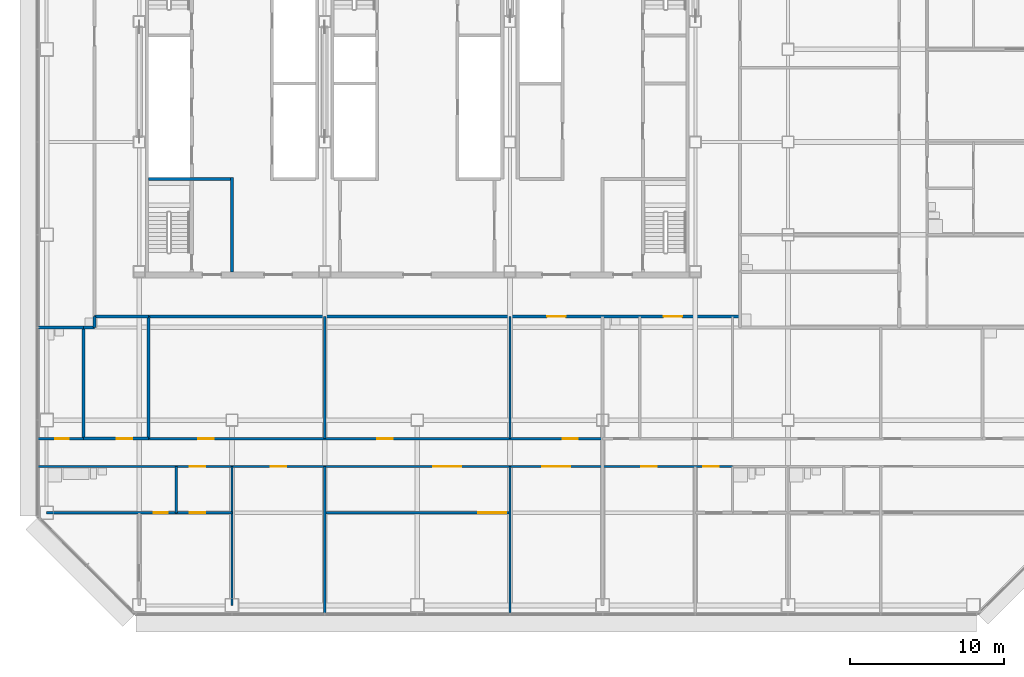
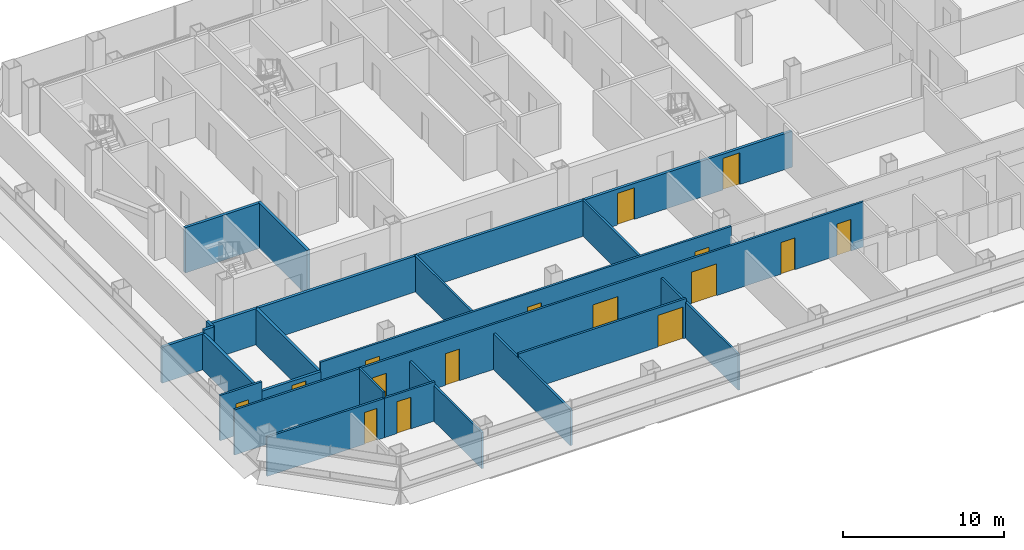
# One storey, part 20 of 27: 23 walls, 16 doors, 16 openings.
"""IFC4 building model written with IfcOpenShell, lengths in metres."""

from ifc_helpers import new_model, si_unit, direction, frame, frame_2d, origin, place, context, subcontext, project, spatial, rectangle, extrude, material, layer, layer_set, type_object, element, fill, save


model = new_model("IFC4")

# Units and contexts
model_context = context("Model", 3, precision=1e-05, world=origin(), true_north=direction((0.0, 1.0)))
body_context = subcontext(model_context, "Body", "Model", "MODEL_VIEW")
ifc_project = project(units=[si_unit("LENGTHUNIT", "METRE"), si_unit("AREAUNIT", "SQUARE_METRE"), si_unit("VOLUMEUNIT", "CUBIC_METRE"), si_unit("PLANEANGLEUNIT", "RADIAN"), si_unit("MASSUNIT", "GRAM", prefix="KILO")], contexts=[model_context])

# Site, building, storey
site_placement = place(None, origin())
site = spatial("IfcSite", under=ifc_project, at=site_placement, CompositionType="ELEMENT")
building_placement = place(site_placement, origin())
building = spatial("IfcBuilding", under=site, at=building_placement, Name="Sorahane Residences", CompositionType="ELEMENT")
storey_placement = place(building_placement, frame((0.0, 0.0, 53.39990234375)))
storey = spatial("IfcBuildingStorey", under=building, at=storey_placement, Name="L09", CompositionType="ELEMENT", Elevation=53.39990234375)

# Wall
ifc_material_1 = material(Name="Concrete blockwork C20 wall", Category="masonry")
ifc_layer_1 = layer(ifc_material_1, 0.199951171875)
ifc_layer_set_1 = layer_set([ifc_layer_1], Name="Corridor wall 200 EI 120")
wall_type_1 = type_object("IfcWallType", Name="Corridor wall 200 EI 120", PredefinedType="SOLIDWALL", material=ifc_layer_set_1)
wall_1_placement = place(storey_placement, frame((-0.60009765625, 18.0, 0.0), z_axis=(0.0, 0.0, 1.0), x_axis=(1.0, 0.0, 0.0)))
element("IfcWall", 1, at=wall_1_placement, inside=storey, type_object=wall_type_1, Name="L09 corridor wall", PredefinedType="SOLIDWALL", context=body_context, shape_type="SweptSolid", body=[
    extrude(rectangle(XDim=3.0, YDim=0.199951171875, at=frame_2d((1.5, 0.0))), origin(), (0.0, 0.0, 1.0), 2.72021484375),
])

# Wall, openings, doors
wall_2_placement = place(storey_placement, frame((6.60009765625, 18.699951171875, 0.0), z_axis=(0.0, 0.0, 1.0), x_axis=(1.0, 0.0, 0.0)))
wall_2 = element("IfcWall", 2, at=wall_2_placement, inside=storey, type_object=wall_type_1, Name="L09 corridor wall", PredefinedType="SOLIDWALL", context=body_context, shape_type="SweptSolid", body=[
    extrude(rectangle(XDim=38.2998046875, YDim=0.199951171875, at=frame_2d((19.14990234375, 0.0))), origin(), (0.0, 0.0, 1.0), 2.72021484375),
])
opening_1_placement = place(wall_2_placement, frame((25.800048828125, 0.0, 0.0)))
opening_1 = element("IfcOpeningElement", 3, at=opening_1_placement, cuts=wall_2, Name="Opening L09-40", PredefinedType="OPENING", context=body_context, shape_type="SweptSolid", body=[
    extrude(rectangle(XDim=1.199951171875, YDim=2.39990234375, at=frame_2d((0.60009765625, 1.199951171875))), frame((0.0, 0.10986328125, 0.0), z_axis=(0.0, -1.0, 0.0), x_axis=(1.0, 0.0, 0.0)), (0.0, 0.0, 1.0), 0.219970703125),
])
opening_2_placement = place(wall_2_placement, frame((33.340087890625, 0.0, 0.0)))
opening_2 = element("IfcOpeningElement", 4, at=opening_2_placement, cuts=wall_2, Name="Opening L09-41", PredefinedType="OPENING", context=body_context, shape_type="SweptSolid", body=[
    extrude(rectangle(XDim=1.199951171875, YDim=2.39990234375, at=frame_2d((0.60009765625, 1.199951171875))), frame((0.0, 0.10986328125, 0.0), z_axis=(0.0, -1.0, 0.0), x_axis=(1.0, 0.0, 0.0)), (0.0, 0.0, 1.0), 0.219970703125),
])
ifc_material_2 = material(Name="Timber veneered fire door", Category="wood")
door_type_1 = type_object("IfcDoorType", Name="Flat entrance door 1200x2400 FD60", OperationType="NOTDEFINED", PredefinedType="DOOR", material=ifc_material_2)
door_1_placement = place(opening_1_placement, frame((1.199951171875, 0.0, 0.0), z_axis=(0.0, 0.0, 1.0), x_axis=(-1.0, 0.0, 0.0)))
door_1 = element("IfcDoor", 5, at=door_1_placement, inside=storey, type_object=door_type_1, Name="Flat entrance door L09-40", OperationType="SINGLE_SWING_RIGHT", OverallHeight=2.39990234375, OverallWidth=1.199951171875, PredefinedType="DOOR", context=body_context, shape_type="SweptSolid", body=[
    extrude(rectangle(XDim=1.199951171875, YDim=2.39990234375, at=frame_2d((0.60009765625, 1.199951171875))), frame((0.0, 0.02490234375, 0.0), z_axis=(0.0, -1.0, 0.0), x_axis=(1.0, 0.0, 0.0)), (0.0, 0.0, 1.0), 0.050048828125),
])
fill(opening_1, door_1)
door_2_placement = place(opening_2_placement, frame((1.199951171875, 0.0, 0.0), z_axis=(0.0, 0.0, 1.0), x_axis=(-1.0, 0.0, 0.0)))
door_2 = element("IfcDoor", 6, at=door_2_placement, inside=storey, type_object=door_type_1, Name="Flat entrance door L09-41", OperationType="SINGLE_SWING_RIGHT", OverallHeight=2.39990234375, OverallWidth=1.199951171875, PredefinedType="DOOR", context=body_context, shape_type="SweptSolid", body=[
    extrude(rectangle(XDim=1.199951171875, YDim=2.39990234375, at=frame_2d((0.60009765625, 1.199951171875))), frame((0.0, 0.02490234375, 0.0), z_axis=(0.0, -1.0, 0.0), x_axis=(1.0, 0.0, 0.0)), (0.0, 0.0, 1.0), 0.050048828125),
])
fill(opening_2, door_2)

# Walls
ifc_material_3 = material(Name="Concrete C30", Category="concrete")
ifc_layer_2 = layer(ifc_material_3, 0.199951171875)
ifc_layer_set_2 = layer_set([ifc_layer_2], Name="Front room wall 200 EI 120")
wall_type_2 = type_object("IfcWallType", Name="Front room wall 200 EI 120", PredefinedType="PARTITIONING", material=ifc_layer_set_2)
wall_3_placement = place(storey_placement, frame((12.0, 21.60009765625, 0.0), z_axis=(0.0, 0.0, 1.0), x_axis=(0.0, 1.0, 0.0)))
element("IfcWall", 7, at=wall_3_placement, inside=storey, type_object=wall_type_2, Name="L09 front room wall", PredefinedType="PARTITIONING", context=body_context, shape_type="SweptSolid", body=[
    extrude(rectangle(XDim=6.099853515625, YDim=0.199951171875, at=frame_2d((3.0498046875, 0.0))), origin(), (0.0, 0.0, 1.0), 3.420166015625),
])
ifc_material_4 = material(Name="Concrete blockwork C20 wall", Category="masonry")
ifc_layer_3 = layer(ifc_material_4, 0.199951171875)
ifc_layer_set_3 = layer_set([ifc_layer_3], Name="Kitchen wall 200 EI 180")
wall_type_3 = type_object("IfcWallType", Name="Kitchen wall 200 EI 180", PredefinedType="SOLIDWALL", material=ifc_layer_set_3)
wall_4_placement = place(storey_placement, frame((2.39990234375, 10.800048828125, 0.0), z_axis=(0.0, 0.0, 1.0), x_axis=(0.0, 1.0, 0.0)))
element("IfcWall", 8, at=wall_4_placement, inside=storey, type_object=wall_type_3, Name="L09 kitchen wall", PredefinedType="SOLIDWALL", context=body_context, shape_type="SweptSolid", body=[
    extrude(rectangle(XDim=7.199951171875, YDim=0.199951171875, at=frame_2d((3.60009765625, 0.0))), origin(), (0.0, 0.0, 1.0), 2.72021484375),
])
wall_5_placement = place(storey_placement, frame((3.10009765625, 18.0, 0.0), z_axis=(0.0, 0.0, 1.0), x_axis=(0.0, 1.0, 0.0)))
element("IfcWall", 9, at=wall_5_placement, inside=storey, type_object=wall_type_3, Name="L09 kitchen wall", PredefinedType="SOLIDWALL", context=body_context, shape_type="SweptSolid", body=[
    extrude(rectangle(XDim=0.699951171875, YDim=0.199951171875, at=frame_2d((0.35009765625, 0.0))), origin(), (0.0, 0.0, 1.0), 2.97021484375),
])
wall_6_placement = place(storey_placement, frame((6.60009765625, 10.800048828125, 0.0), z_axis=(0.0, 0.0, 1.0), x_axis=(0.0, 1.0, 0.0)))
element("IfcWall", 10, at=wall_6_placement, inside=storey, type_object=wall_type_3, Name="L09 kitchen wall", PredefinedType="SOLIDWALL", context=body_context, shape_type="SweptSolid", body=[
    extrude(rectangle(XDim=7.89990234375, YDim=0.199951171875, at=frame_2d((3.949951171875, 0.0))), origin(), (0.0, 0.0, 1.0), 2.72021484375),
])

# Wall, opening, door
wall_7_placement = place(storey_placement, frame((2.39990234375, 10.800048828125, 0.0), z_axis=(0.0, 0.0, 1.0), x_axis=(1.0, 0.0, 0.0)))
wall_7 = element("IfcWall", 11, at=wall_7_placement, inside=storey, type_object=wall_type_3, Name="L09 kitchen wall", PredefinedType="SOLIDWALL", context=body_context, shape_type="SweptSolid", body=[
    extrude(rectangle(XDim=4.2001953125, YDim=0.199951171875, at=frame_2d((2.10009765625, 0.0))), origin(), (0.0, 0.0, 1.0), 2.72021484375),
])
opening_3_placement = place(wall_7_placement, frame((2.139892578125, 0.0, 0.0)))
opening_3 = element("IfcOpeningElement", 12, at=opening_3_placement, cuts=wall_7, Name="Opening L09-03", PredefinedType="OPENING", context=body_context, shape_type="SweptSolid", body=[
    extrude(rectangle(XDim=1.0, YDim=2.39990234375, at=frame_2d((0.5, 1.199951171875))), frame((0.0, 0.10986328125, 0.0), z_axis=(0.0, -1.0, 0.0), x_axis=(1.0, 0.0, 0.0)), (0.0, 0.0, 1.0), 0.219970703125),
])
ifc_material_5 = material(Name="Steel", Category="steel")
door_type_2 = type_object("IfcDoorType", Name="Kitchen door 1000x2400 FD120", OperationType="NOTDEFINED", PredefinedType="DOOR", material=ifc_material_5)
door_3_placement = place(opening_3_placement, origin())
door_3 = element("IfcDoor", 13, at=door_3_placement, inside=storey, type_object=door_type_2, Name="Kitchen door L09-03", OperationType="SINGLE_SWING_LEFT", OverallHeight=2.39990234375, OverallWidth=1.0, PredefinedType="DOOR", context=body_context, shape_type="SweptSolid", body=[
    extrude(rectangle(XDim=1.0, YDim=2.39990234375, at=frame_2d((0.5, 1.199951171875))), frame((0.0, 0.02490234375, 0.0), z_axis=(0.0, -1.0, 0.0), x_axis=(1.0, 0.0, 0.0)), (0.0, 0.0, 1.0), 0.050048828125),
])
fill(opening_3, door_3)

# Walls
wall_8_placement = place(storey_placement, frame((2.39990234375, 18.0, 0.0), z_axis=(0.0, 0.0, 1.0), x_axis=(1.0, 0.0, 0.0)))
element("IfcWall", 14, at=wall_8_placement, inside=storey, type_object=wall_type_3, Name="L09 kitchen wall", PredefinedType="SOLIDWALL", context=body_context, shape_type="SweptSolid", body=[
    extrude(rectangle(XDim=0.7001953125, YDim=0.199951171875, at=frame_2d((0.35009765625, 0.0))), origin(), (0.0, 0.0, 1.0), 2.97021484375),
])
wall_9_placement = place(storey_placement, frame((3.10009765625, 18.699951171875, 0.0), z_axis=(0.0, 0.0, 1.0), x_axis=(1.0, 0.0, 0.0)))
element("IfcWall", 15, at=wall_9_placement, inside=storey, type_object=wall_type_3, Name="L09 kitchen wall", PredefinedType="SOLIDWALL", context=body_context, shape_type="SweptSolid", body=[
    extrude(rectangle(XDim=3.5, YDim=0.199951171875, at=frame_2d((1.75, 0.0))), origin(), (0.0, 0.0, 1.0), 2.72021484375),
])
ifc_material_6 = material(Name="Gypsum board partition on steel studs", Category="steel")
ifc_layer_4 = layer(ifc_material_6, 0.14990234375)
ifc_layer_set_4 = layer_set([ifc_layer_4], Name="Partition 150 EI 90")
wall_type_4 = type_object("IfcWallType", Name="Partition 150 EI 90", PredefinedType="PARTITIONING", material=ifc_layer_set_4)
wall_10_placement = place(storey_placement, frame((12.0, 0.0, 0.0), z_axis=(0.0, 0.0, 1.0), x_axis=(0.0, 1.0, 0.0)))
element("IfcWall", 16, at=wall_10_placement, inside=storey, type_object=wall_type_4, Name="L09 partition", PredefinedType="PARTITIONING", context=body_context, shape_type="SweptSolid", body=[
    extrude(rectangle(XDim=9.0, YDim=0.14990234375, at=frame_2d((4.5, 0.0))), origin(), (0.0, 0.0, 1.0), 2.72021484375),
])
wall_11_placement = place(storey_placement, frame((18.0, -0.60009765625, 0.0), z_axis=(0.0, 0.0, 1.0), x_axis=(0.0, 1.0, 0.0)))
element("IfcWall", 17, at=wall_11_placement, inside=storey, type_object=wall_type_4, Name="L09 partition", PredefinedType="PARTITIONING", context=body_context, shape_type="SweptSolid", body=[
    extrude(rectangle(XDim=9.60009765625, YDim=0.14990234375, at=frame_2d((4.800048828125, 0.0))), origin(), (0.0, 0.0, 1.0), 2.72021484375),
])
wall_12_placement = place(storey_placement, frame((18.0, 10.800048828125, 0.0), z_axis=(0.0, 0.0, 1.0), x_axis=(0.0, 1.0, 0.0)))
element("IfcWall", 18, at=wall_12_placement, inside=storey, type_object=wall_type_4, Name="L09 partition", PredefinedType="PARTITIONING", context=body_context, shape_type="SweptSolid", body=[
    extrude(rectangle(XDim=7.89990234375, YDim=0.14990234375, at=frame_2d((3.949951171875, 0.0))), origin(), (0.0, 0.0, 1.0), 2.72021484375),
])
wall_13_placement = place(storey_placement, frame((30.0, -0.60009765625, 0.0), z_axis=(0.0, 0.0, 1.0), x_axis=(0.0, 1.0, 0.0)))
element("IfcWall", 19, at=wall_13_placement, inside=storey, type_object=wall_type_4, Name="L09 partition", PredefinedType="PARTITIONING", context=body_context, shape_type="SweptSolid", body=[
    extrude(rectangle(XDim=9.60009765625, YDim=0.14990234375, at=frame_2d((4.800048828125, 0.0))), origin(), (0.0, 0.0, 1.0), 2.72021484375),
])
wall_14_placement = place(storey_placement, frame((30.0, 10.800048828125, 0.0), z_axis=(0.0, 0.0, 1.0), x_axis=(0.0, 1.0, 0.0)))
element("IfcWall", 20, at=wall_14_placement, inside=storey, type_object=wall_type_4, Name="L09 partition", PredefinedType="PARTITIONING", context=body_context, shape_type="SweptSolid", body=[
    extrude(rectangle(XDim=7.89990234375, YDim=0.14990234375, at=frame_2d((3.949951171875, 0.0))), origin(), (0.0, 0.0, 1.0), 2.72021484375),
])

# Wall, openings, doors
wall_15_placement = place(storey_placement, frame((6.60009765625, 10.800048828125, 0.0), z_axis=(0.0, 0.0, 1.0), x_axis=(1.0, 0.0, 0.0)))
wall_15 = element("IfcWall", 21, at=wall_15_placement, inside=storey, type_object=wall_type_4, Name="L09 partition", PredefinedType="PARTITIONING", context=body_context, shape_type="SweptSolid", body=[
    extrude(rectangle(XDim=29.39990234375, YDim=0.14990234375, at=frame_2d((14.699951171875, 0.0))), origin(), (0.0, 0.0, 1.0), 3.420166015625),
])
opening_4_placement = place(wall_15_placement, frame((26.800048828125, 0.0, 0.0)))
opening_4 = element("IfcOpeningElement", 22, at=opening_4_placement, cuts=wall_15, Name="Opening L09-01", PredefinedType="OPENING", context=body_context, shape_type="SweptSolid", body=[
    extrude(rectangle(XDim=1.0, YDim=2.39990234375, at=frame_2d((0.5, 1.199951171875))), frame((0.0, 0.0849609375, 0.0), z_axis=(0.0, -1.0, 0.0), x_axis=(1.0, 0.0, 0.0)), (0.0, 0.0, 1.0), 0.169921875),
])
opening_5_placement = place(wall_15_placement, frame((3.219970703125, 0.0, 0.0)))
opening_5 = element("IfcOpeningElement", 23, at=opening_5_placement, cuts=wall_15, Name="Opening L09-04", PredefinedType="OPENING", context=body_context, shape_type="SweptSolid", body=[
    extrude(rectangle(XDim=1.0, YDim=2.39990234375, at=frame_2d((0.5, 1.199951171875))), frame((0.0, 0.0849609375, 0.0), z_axis=(0.0, -1.0, 0.0), x_axis=(1.0, 0.0, 0.0)), (0.0, 0.0, 1.0), 0.169921875),
])
opening_6_placement = place(wall_15_placement, frame((14.800048828125, 0.0, 0.0)))
opening_6 = element("IfcOpeningElement", 24, at=opening_6_placement, cuts=wall_15, Name="Opening L09-05", PredefinedType="OPENING", context=body_context, shape_type="SweptSolid", body=[
    extrude(rectangle(XDim=1.0, YDim=2.39990234375, at=frame_2d((0.5, 1.199951171875))), frame((0.0, 0.0849609375, 0.0), z_axis=(0.0, -1.0, 0.0), x_axis=(1.0, 0.0, 0.0)), (0.0, 0.0, 1.0), 0.169921875),
])
ifc_material_7 = material(Name="Timber veneered fire door", Category="wood")
door_type_3 = type_object("IfcDoorType", Name="Room door 1000x2400 FD30", OperationType="NOTDEFINED", PredefinedType="DOOR", material=ifc_material_7)
door_4_placement = place(opening_4_placement, frame((1.0, 0.0, 0.0), z_axis=(0.0, 0.0, 1.0), x_axis=(-1.0, 0.0, 0.0)))
door_4 = element("IfcDoor", 25, at=door_4_placement, inside=storey, type_object=door_type_3, Name="Room door L09-01", OperationType="SINGLE_SWING_LEFT", OverallHeight=2.39990234375, OverallWidth=1.0, PredefinedType="DOOR", context=body_context, shape_type="SweptSolid", body=[
    extrude(rectangle(XDim=1.0, YDim=2.39990234375, at=frame_2d((0.5, 1.199951171875))), frame((0.0, 0.02490234375, 0.0), z_axis=(0.0, -1.0, 0.0), x_axis=(1.0, 0.0, 0.0)), (0.0, 0.0, 1.0), 0.050048828125),
])
fill(opening_4, door_4)
door_5_placement = place(opening_5_placement, origin())
door_5 = element("IfcDoor", 26, at=door_5_placement, inside=storey, type_object=door_type_3, Name="Room door L09-04", OperationType="SINGLE_SWING_LEFT", OverallHeight=2.39990234375, OverallWidth=1.0, PredefinedType="DOOR", context=body_context, shape_type="SweptSolid", body=[
    extrude(rectangle(XDim=1.0, YDim=2.39990234375, at=frame_2d((0.5, 1.199951171875))), frame((0.0, 0.02490234375, 0.0), z_axis=(0.0, -1.0, 0.0), x_axis=(1.0, 0.0, 0.0)), (0.0, 0.0, 1.0), 0.050048828125),
])
fill(opening_5, door_5)
door_6_placement = place(opening_6_placement, origin())
door_6 = element("IfcDoor", 27, at=door_6_placement, inside=storey, type_object=door_type_3, Name="Room door L09-05", OperationType="SINGLE_SWING_LEFT", OverallHeight=2.39990234375, OverallWidth=1.0, PredefinedType="DOOR", context=body_context, shape_type="SweptSolid", body=[
    extrude(rectangle(XDim=1.0, YDim=2.39990234375, at=frame_2d((0.5, 1.199951171875))), frame((0.0, 0.02490234375, 0.0), z_axis=(0.0, -1.0, 0.0), x_axis=(1.0, 0.0, 0.0)), (0.0, 0.0, 1.0), 0.050048828125),
])
fill(opening_6, door_6)

# Wall, opening, door
wall_16_placement = place(storey_placement, frame((8.39990234375, 6.0, 0.0), z_axis=(0.0, 0.0, 1.0), x_axis=(1.0, 0.0, 0.0)))
wall_16 = element("IfcWall", 28, at=wall_16_placement, inside=storey, type_object=wall_type_4, Name="L09 partition", PredefinedType="PARTITIONING", context=body_context, shape_type="SweptSolid", body=[
    extrude(rectangle(XDim=3.60009765625, YDim=0.14990234375, at=frame_2d((1.800048828125, 0.0))), origin(), (0.0, 0.0, 1.0), 2.97021484375),
])
opening_7_placement = place(wall_16_placement, frame((0.8798828125, 0.0, 0.0)))
opening_7 = element("IfcOpeningElement", 29, at=opening_7_placement, cuts=wall_16, Name="Opening L09-10", PredefinedType="OPENING", context=body_context, shape_type="SweptSolid", body=[
    extrude(rectangle(XDim=1.0, YDim=2.39990234375, at=frame_2d((0.5, 1.199951171875))), frame((0.0, 0.0849609375, 0.0), z_axis=(0.0, -1.0, 0.0), x_axis=(1.0, 0.0, 0.0)), (0.0, 0.0, 1.0), 0.169921875),
])
door_7_placement = place(opening_7_placement, frame((1.0, 0.0, 0.0), z_axis=(0.0, 0.0, 1.0), x_axis=(-1.0, 0.0, 0.0)))
door_7 = element("IfcDoor", 30, at=door_7_placement, inside=storey, type_object=door_type_3, Name="Room door L09-10", OperationType="SINGLE_SWING_RIGHT", OverallHeight=2.39990234375, OverallWidth=1.0, PredefinedType="DOOR", context=body_context, shape_type="SweptSolid", body=[
    extrude(rectangle(XDim=1.0, YDim=2.39990234375, at=frame_2d((0.5, 1.199951171875))), frame((0.0, 0.02490234375, 0.0), z_axis=(0.0, -1.0, 0.0), x_axis=(1.0, 0.0, 0.0)), (0.0, 0.0, 1.0), 0.050048828125),
])
fill(opening_7, door_7)

wall_17_placement = place(storey_placement, frame((18.0, 6.0, 0.0), z_axis=(0.0, 0.0, 1.0), x_axis=(1.0, 0.0, 0.0)))
wall_17 = element("IfcWall", 31, at=wall_17_placement, inside=storey, type_object=wall_type_4, Name="L09 partition", PredefinedType="PARTITIONING", context=body_context, shape_type="SweptSolid", body=[
    extrude(rectangle(XDim=12.0, YDim=0.14990234375, at=frame_2d((6.0, 0.0))), origin(), (0.0, 0.0, 1.0), 2.97021484375),
])
opening_8_placement = place(wall_17_placement, frame((9.949951171875, 0.0, 0.0)))
opening_8 = element("IfcOpeningElement", 32, at=opening_8_placement, cuts=wall_17, Name="Opening L09-13", PredefinedType="OPENING", context=body_context, shape_type="SweptSolid", body=[
    extrude(rectangle(XDim=1.800048828125, YDim=2.39990234375, at=frame_2d((0.89990234375, 1.199951171875))), frame((0.0, 0.0849609375, 0.0), z_axis=(0.0, -1.0, 0.0), x_axis=(1.0, 0.0, 0.0)), (0.0, 0.0, 1.0), 0.169921875),
])
ifc_material_8 = material(Name="Timber veneered fire door", Category="wood")
door_type_4 = type_object("IfcDoorType", Name="Double door 1800x2400 FD30", OperationType="NOTDEFINED", PredefinedType="DOOR", material=ifc_material_8)
door_8_placement = place(opening_8_placement, frame((1.800048828125, 0.0, 0.0), z_axis=(0.0, 0.0, 1.0), x_axis=(-1.0, 0.0, 0.0)))
door_8 = element("IfcDoor", 33, at=door_8_placement, inside=storey, type_object=door_type_4, Name="Double door L09-13", OperationType="SINGLE_SWING_LEFT", OverallHeight=2.39990234375, OverallWidth=1.800048828125, PredefinedType="DOOR", context=body_context, shape_type="SweptSolid", body=[
    extrude(rectangle(XDim=1.800048828125, YDim=2.39990234375, at=frame_2d((0.89990234375, 1.199951171875))), frame((0.0, 0.02490234375, 0.0), z_axis=(0.0, -1.0, 0.0), x_axis=(1.0, 0.0, 0.0)), (0.0, 0.0, 1.0), 0.050048828125),
])
fill(opening_8, door_8)

# Wall, openings, doors
wall_18_placement = place(storey_placement, frame((8.39990234375, 9.0, 0.0), z_axis=(0.0, 0.0, 1.0), x_axis=(1.0, 0.0, 0.0)))
wall_18 = element("IfcWall", 34, at=wall_18_placement, inside=storey, type_object=wall_type_4, Name="L09 partition", PredefinedType="PARTITIONING", context=body_context, shape_type="SweptSolid", body=[
    extrude(rectangle(XDim=36.0, YDim=0.14990234375, at=frame_2d((18.0, 0.0))), origin(), (0.0, 0.0, 1.0), 3.420166015625),
])
opening_9_placement = place(wall_18_placement, frame((0.8798828125, 0.0, 0.0)))
opening_9 = element("IfcOpeningElement", 35, at=opening_9_placement, cuts=wall_18, Name="Opening L09-06", PredefinedType="OPENING", context=body_context, shape_type="SweptSolid", body=[
    extrude(rectangle(XDim=1.0, YDim=2.39990234375, at=frame_2d((0.5, 1.199951171875))), frame((0.0, 0.0849609375, 0.0), z_axis=(0.0, -1.0, 0.0), x_axis=(1.0, 0.0, 0.0)), (0.0, 0.0, 1.0), 0.169921875),
])
opening_10_placement = place(wall_18_placement, frame((6.10009765625, 0.0, 0.0)))
opening_10 = element("IfcOpeningElement", 36, at=opening_10_placement, cuts=wall_18, Name="Opening L09-07", PredefinedType="OPENING", context=body_context, shape_type="SweptSolid", body=[
    extrude(rectangle(XDim=1.0, YDim=2.39990234375, at=frame_2d((0.5, 1.199951171875))), frame((0.0, 0.0849609375, 0.0), z_axis=(0.0, -1.0, 0.0), x_axis=(1.0, 0.0, 0.0)), (0.0, 0.0, 1.0), 0.169921875),
])
opening_11_placement = place(wall_18_placement, frame((16.639892578125, 0.0, 0.0)))
opening_11 = element("IfcOpeningElement", 37, at=opening_11_placement, cuts=wall_18, Name="Opening L09-08", PredefinedType="OPENING", context=body_context, shape_type="SweptSolid", body=[
    extrude(rectangle(XDim=1.800048828125, YDim=2.39990234375, at=frame_2d((0.89990234375, 1.199951171875))), frame((0.0, 0.0849609375, 0.0), z_axis=(0.0, -1.0, 0.0), x_axis=(1.0, 0.0, 0.0)), (0.0, 0.0, 1.0), 0.169921875),
])
opening_12_placement = place(wall_18_placement, frame((23.699951171875, 0.0, 0.0)))
opening_12 = element("IfcOpeningElement", 38, at=opening_12_placement, cuts=wall_18, Name="Opening L09-09", PredefinedType="OPENING", context=body_context, shape_type="SweptSolid", body=[
    extrude(rectangle(XDim=1.800048828125, YDim=2.39990234375, at=frame_2d((0.89990234375, 1.199951171875))), frame((0.0, 0.0849609375, 0.0), z_axis=(0.0, -1.0, 0.0), x_axis=(1.0, 0.0, 0.0)), (0.0, 0.0, 1.0), 0.169921875),
])
opening_13_placement = place(wall_18_placement, frame((30.10009765625, 0.0, 0.0)))
opening_13 = element("IfcOpeningElement", 39, at=opening_13_placement, cuts=wall_18, Name="Opening L09-19", PredefinedType="OPENING", context=body_context, shape_type="SweptSolid", body=[
    extrude(rectangle(XDim=1.0, YDim=2.39990234375, at=frame_2d((0.5, 1.199951171875))), frame((0.0, 0.0849609375, 0.0), z_axis=(0.0, -1.0, 0.0), x_axis=(1.0, 0.0, 0.0)), (0.0, 0.0, 1.0), 0.169921875),
])
opening_14_placement = place(wall_18_placement, frame((34.1201171875, 0.0, 0.0)))
opening_14 = element("IfcOpeningElement", 40, at=opening_14_placement, cuts=wall_18, Name="Opening L09-20", PredefinedType="OPENING", context=body_context, shape_type="SweptSolid", body=[
    extrude(rectangle(XDim=1.0, YDim=2.39990234375, at=frame_2d((0.5, 1.199951171875))), frame((0.0, 0.0849609375, 0.0), z_axis=(0.0, -1.0, 0.0), x_axis=(1.0, 0.0, 0.0)), (0.0, 0.0, 1.0), 0.169921875),
])
door_9_placement = place(opening_11_placement, frame((1.800048828125, 0.0, 0.0), z_axis=(0.0, 0.0, 1.0), x_axis=(-1.0, 0.0, 0.0)))
door_9 = element("IfcDoor", 41, at=door_9_placement, inside=storey, type_object=door_type_4, Name="Double door L09-08", OperationType="SINGLE_SWING_RIGHT", OverallHeight=2.39990234375, OverallWidth=1.800048828125, PredefinedType="DOOR", context=body_context, shape_type="SweptSolid", body=[
    extrude(rectangle(XDim=1.800048828125, YDim=2.39990234375, at=frame_2d((0.89990234375, 1.199951171875))), frame((0.0, 0.02490234375, 0.0), z_axis=(0.0, -1.0, 0.0), x_axis=(1.0, 0.0, 0.0)), (0.0, 0.0, 1.0), 0.050048828125),
])
fill(opening_11, door_9)
door_10_placement = place(opening_12_placement, frame((1.800048828125, 0.0, 0.0), z_axis=(0.0, 0.0, 1.0), x_axis=(-1.0, 0.0, 0.0)))
door_10 = element("IfcDoor", 42, at=door_10_placement, inside=storey, type_object=door_type_4, Name="Double door L09-09", OperationType="SINGLE_SWING_LEFT", OverallHeight=2.39990234375, OverallWidth=1.800048828125, PredefinedType="DOOR", context=body_context, shape_type="SweptSolid", body=[
    extrude(rectangle(XDim=1.800048828125, YDim=2.39990234375, at=frame_2d((0.89990234375, 1.199951171875))), frame((0.0, 0.02490234375, 0.0), z_axis=(0.0, -1.0, 0.0), x_axis=(1.0, 0.0, 0.0)), (0.0, 0.0, 1.0), 0.050048828125),
])
fill(opening_12, door_10)
door_11_placement = place(opening_9_placement, frame((1.0, 0.0, 0.0), z_axis=(0.0, 0.0, 1.0), x_axis=(-1.0, 0.0, 0.0)))
door_11 = element("IfcDoor", 43, at=door_11_placement, inside=storey, type_object=door_type_3, Name="Room door L09-06", OperationType="SINGLE_SWING_LEFT", OverallHeight=2.39990234375, OverallWidth=1.0, PredefinedType="DOOR", context=body_context, shape_type="SweptSolid", body=[
    extrude(rectangle(XDim=1.0, YDim=2.39990234375, at=frame_2d((0.5, 1.199951171875))), frame((0.0, 0.02490234375, 0.0), z_axis=(0.0, -1.0, 0.0), x_axis=(1.0, 0.0, 0.0)), (0.0, 0.0, 1.0), 0.050048828125),
])
fill(opening_9, door_11)
door_12_placement = place(opening_10_placement, frame((1.0, 0.0, 0.0), z_axis=(0.0, 0.0, 1.0), x_axis=(-1.0, 0.0, 0.0)))
door_12 = element("IfcDoor", 44, at=door_12_placement, inside=storey, type_object=door_type_3, Name="Room door L09-07", OperationType="SINGLE_SWING_RIGHT", OverallHeight=2.39990234375, OverallWidth=1.0, PredefinedType="DOOR", context=body_context, shape_type="SweptSolid", body=[
    extrude(rectangle(XDim=1.0, YDim=2.39990234375, at=frame_2d((0.5, 1.199951171875))), frame((0.0, 0.02490234375, 0.0), z_axis=(0.0, -1.0, 0.0), x_axis=(1.0, 0.0, 0.0)), (0.0, 0.0, 1.0), 0.050048828125),
])
fill(opening_10, door_12)
door_13_placement = place(opening_13_placement, frame((1.0, 0.0, 0.0), z_axis=(0.0, 0.0, 1.0), x_axis=(-1.0, 0.0, 0.0)))
door_13 = element("IfcDoor", 45, at=door_13_placement, inside=storey, type_object=door_type_3, Name="Room door L09-19", OperationType="SINGLE_SWING_LEFT", OverallHeight=2.39990234375, OverallWidth=1.0, PredefinedType="DOOR", context=body_context, shape_type="SweptSolid", body=[
    extrude(rectangle(XDim=1.0, YDim=2.39990234375, at=frame_2d((0.5, 1.199951171875))), frame((0.0, 0.02490234375, 0.0), z_axis=(0.0, -1.0, 0.0), x_axis=(1.0, 0.0, 0.0)), (0.0, 0.0, 1.0), 0.050048828125),
])
fill(opening_13, door_13)
door_14_placement = place(opening_14_placement, frame((1.0, 0.0, 0.0), z_axis=(0.0, 0.0, 1.0), x_axis=(-1.0, 0.0, 0.0)))
door_14 = element("IfcDoor", 46, at=door_14_placement, inside=storey, type_object=door_type_3, Name="Room door L09-20", OperationType="SINGLE_SWING_LEFT", OverallHeight=2.39990234375, OverallWidth=1.0, PredefinedType="DOOR", context=body_context, shape_type="SweptSolid", body=[
    extrude(rectangle(XDim=1.0, YDim=2.39990234375, at=frame_2d((0.5, 1.199951171875))), frame((0.0, 0.02490234375, 0.0), z_axis=(0.0, -1.0, 0.0), x_axis=(1.0, 0.0, 0.0)), (0.0, 0.0, 1.0), 0.050048828125),
])
fill(opening_14, door_14)

# Walls
ifc_material_9 = material(Name="Concrete C30", Category="concrete")
ifc_layer_5 = layer(ifc_material_9, 0.199951171875)
ifc_layer_set_5 = layer_set([ifc_layer_5], Name="Stair enclosure wall 200 EI 120")
wall_type_5 = type_object("IfcWallType", Name="Stair enclosure wall 200 EI 120", PredefinedType="SOLIDWALL", material=ifc_layer_set_5)
wall_19_placement = place(storey_placement, frame((6.60009765625, 27.60009765625, 0.0), z_axis=(0.0, 0.0, 1.0), x_axis=(1.0, 0.0, 0.0)))
element("IfcWall", 47, at=wall_19_placement, inside=storey, type_object=wall_type_5, Name="L09 stair enclosure wall", PredefinedType="SOLIDWALL", context=body_context, shape_type="SweptSolid", body=[
    extrude(rectangle(XDim=5.2998046875, YDim=0.199951171875, at=frame_2d((2.64990234375, 0.0))), origin(), (0.0, 0.0, 1.0), 3.420166015625),
])
ifc_material_10 = material(Name="Gypsum board partition on steel studs", Category="steel")
ifc_layer_6 = layer(ifc_material_10, 0.14990234375)
ifc_layer_set_6 = layer_set([ifc_layer_6], Name="Wet wall 150 EI 90")
wall_type_6 = type_object("IfcWallType", Name="Wet wall 150 EI 90", PredefinedType="PARTITIONING", material=ifc_layer_set_6)
wall_20_placement = place(storey_placement, frame((8.39990234375, 6.0, 0.0), z_axis=(0.0, 0.0, 1.0), x_axis=(0.0, 1.0, 0.0)))
element("IfcWall", 48, at=wall_20_placement, inside=storey, type_object=wall_type_6, Name="L09 wet wall", PredefinedType="PARTITIONING", context=body_context, shape_type="SweptSolid", body=[
    extrude(rectangle(XDim=3.0, YDim=0.14990234375, at=frame_2d((1.5, 0.0))), origin(), (0.0, 0.0, 1.0), 3.420166015625),
])

# Wall, opening, door
wall_21_placement = place(storey_placement, frame((-0.60009765625, 10.800048828125, 0.0), z_axis=(0.0, 0.0, 1.0), x_axis=(1.0, 0.0, 0.0)))
wall_21 = element("IfcWall", 49, at=wall_21_placement, inside=storey, type_object=wall_type_6, Name="L09 wet wall", PredefinedType="PARTITIONING", context=body_context, shape_type="SweptSolid", body=[
    extrude(rectangle(XDim=3.0, YDim=0.14990234375, at=frame_2d((1.5, 0.0))), origin(), (0.0, 0.0, 1.0), 3.420166015625),
])
opening_15_placement = place(wall_21_placement, frame((1.14990234375, 0.0, 0.0)))
opening_15 = element("IfcOpeningElement", 50, at=opening_15_placement, cuts=wall_21, Name="Opening L09-02", PredefinedType="OPENING", context=body_context, shape_type="SweptSolid", body=[
    extrude(rectangle(XDim=0.89990234375, YDim=2.39990234375, at=frame_2d((0.449951171875, 1.199951171875))), frame((0.0, 0.0849609375, 0.0), z_axis=(0.0, -1.0, 0.0), x_axis=(1.0, 0.0, 0.0)), (0.0, 0.0, 1.0), 0.169921875),
])
ifc_material_11 = material(Name="Timber veneered fire door", Category="wood")
door_type_5 = type_object("IfcDoorType", Name="Bathroom door 900x2400 FD30", OperationType="NOTDEFINED", PredefinedType="DOOR", material=ifc_material_11)
door_15_placement = place(opening_15_placement, frame((0.89990234375, 0.0, 0.0), z_axis=(0.0, 0.0, 1.0), x_axis=(-1.0, 0.0, 0.0)))
door_15 = element("IfcDoor", 51, at=door_15_placement, inside=storey, type_object=door_type_5, Name="Bathroom door L09-02", OperationType="SINGLE_SWING_RIGHT", OverallHeight=2.39990234375, OverallWidth=0.89990234375, PredefinedType="DOOR", context=body_context, shape_type="SweptSolid", body=[
    extrude(rectangle(XDim=0.89990234375, YDim=2.39990234375, at=frame_2d((0.449951171875, 1.199951171875))), frame((0.0, 0.02490234375, 0.0), z_axis=(0.0, -1.0, 0.0), x_axis=(1.0, 0.0, 0.0)), (0.0, 0.0, 1.0), 0.050048828125),
])
fill(opening_15, door_15)

wall_22_placement = place(storey_placement, frame((0.0, 6.0, 0.0), z_axis=(0.0, 0.0, 1.0), x_axis=(1.0, 0.0, 0.0)))
wall_22 = element("IfcWall", 52, at=wall_22_placement, inside=storey, type_object=wall_type_6, Name="L09 wet wall", PredefinedType="PARTITIONING", context=body_context, shape_type="SweptSolid", body=[
    extrude(rectangle(XDim=8.39990234375, YDim=0.14990234375, at=frame_2d((4.199951171875, 0.0))), origin(), (0.0, 0.0, 1.0), 2.97021484375),
])
opening_16_placement = place(wall_22_placement, frame((6.949951171875, 0.0, 0.0)))
opening_16 = element("IfcOpeningElement", 53, at=opening_16_placement, cuts=wall_22, Name="Opening L09-12", PredefinedType="OPENING", context=body_context, shape_type="SweptSolid", body=[
    extrude(rectangle(XDim=0.89990234375, YDim=2.39990234375, at=frame_2d((0.449951171875, 1.199951171875))), frame((0.0, 0.0849609375, 0.0), z_axis=(0.0, -1.0, 0.0), x_axis=(1.0, 0.0, 0.0)), (0.0, 0.0, 1.0), 0.169921875),
])
door_16_placement = place(opening_16_placement, frame((0.89990234375, 0.0, 0.0), z_axis=(0.0, 0.0, 1.0), x_axis=(-1.0, 0.0, 0.0)))
door_16 = element("IfcDoor", 54, at=door_16_placement, inside=storey, type_object=door_type_5, Name="Bathroom door L09-12", OperationType="SINGLE_SWING_LEFT", OverallHeight=2.39990234375, OverallWidth=0.89990234375, PredefinedType="DOOR", context=body_context, shape_type="SweptSolid", body=[
    extrude(rectangle(XDim=0.89990234375, YDim=2.39990234375, at=frame_2d((0.449951171875, 1.199951171875))), frame((0.0, 0.02490234375, 0.0), z_axis=(0.0, -1.0, 0.0), x_axis=(1.0, 0.0, 0.0)), (0.0, 0.0, 1.0), 0.050048828125),
])
fill(opening_16, door_16)

# Wall
wall_23_placement = place(storey_placement, frame((-0.60009765625, 9.0, 0.0), z_axis=(0.0, 0.0, 1.0), x_axis=(1.0, 0.0, 0.0)))
element("IfcWall", 55, at=wall_23_placement, inside=storey, type_object=wall_type_6, Name="L09 wet wall", PredefinedType="PARTITIONING", context=body_context, shape_type="SweptSolid", body=[
    extrude(rectangle(XDim=9.0, YDim=0.14990234375, at=frame_2d((4.5, 0.0))), origin(), (0.0, 0.0, 1.0), 3.420166015625),
])

save(model, "model.ifc")
